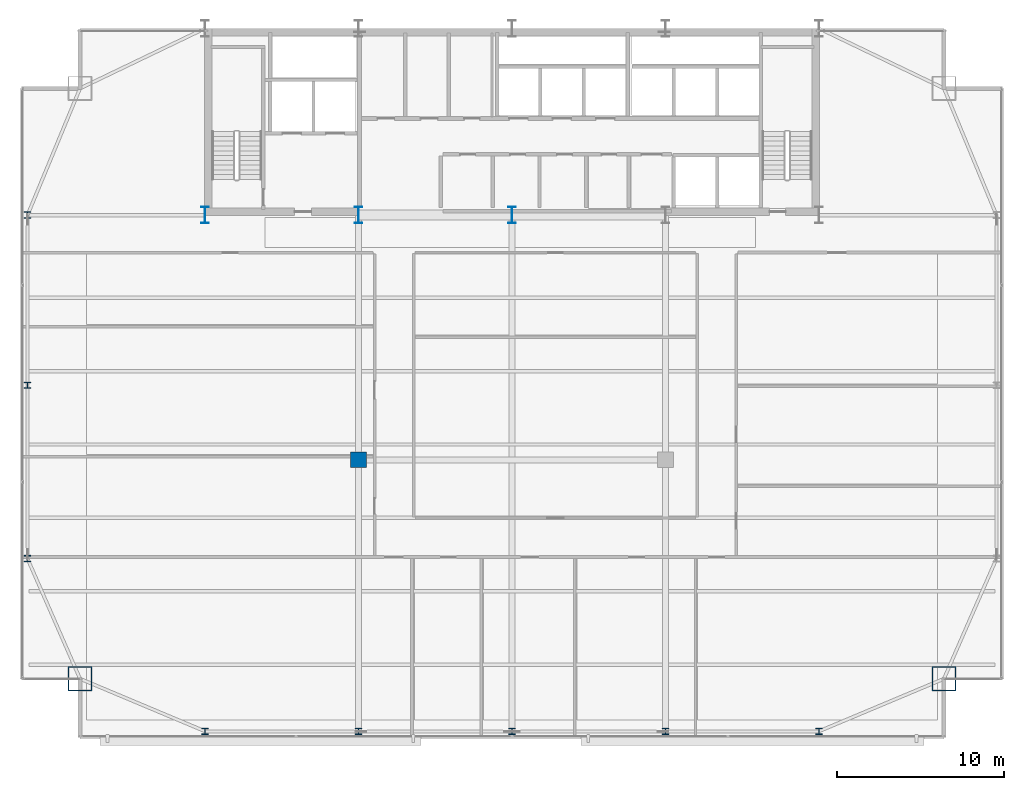
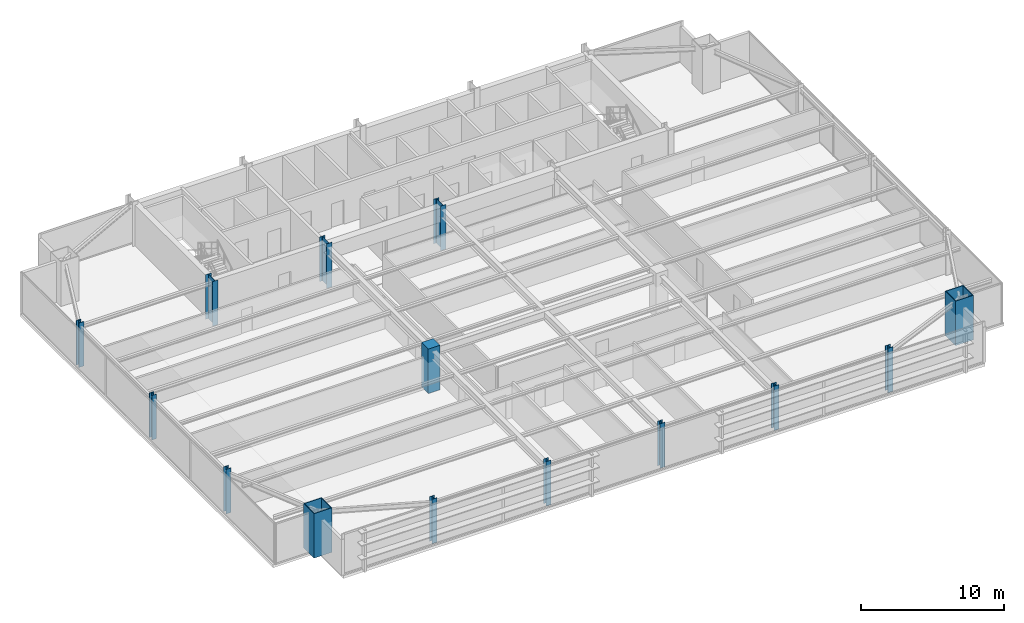
# One storey, part 1 of 33: 14 columns.
"""IFC4 building model written with IfcOpenShell, lengths in metres."""

from ifc_helpers import new_model, si_unit, direction, frame, origin, origin_2d, place, context, subcontext, project, spatial, rectangle, hollow_rectangle, i_section, extrude, source, transform, mapped, material, material_profile, profile_set, type_object, type_shapes, element, save


model = new_model("IFC4")

# Units and contexts
model_context = context("Model", 3, precision=1e-05, world=origin(), true_north=direction((0.0, 1.0)))
body_context = subcontext(model_context, "Body", "Model", "MODEL_VIEW")
ifc_project = project(units=[si_unit("LENGTHUNIT", "METRE"), si_unit("AREAUNIT", "SQUARE_METRE"), si_unit("VOLUMEUNIT", "CUBIC_METRE"), si_unit("PLANEANGLEUNIT", "RADIAN"), si_unit("MASSUNIT", "GRAM", prefix="KILO")], contexts=[model_context])

# Site, building, storey
site_placement = place(None, origin())
site = spatial("IfcSite", under=ifc_project, at=site_placement, CompositionType="ELEMENT")
building_placement = place(site_placement, origin())
building = spatial("IfcBuilding", under=site, at=building_placement, Name="Varnel Quay Broadcast Tower", CompositionType="ELEMENT")
storey_placement = place(building_placement, frame((0.0, 0.0, 137.199951171875)))
storey = spatial("IfcBuildingStorey", under=building, at=storey_placement, Name="L33", CompositionType="ELEMENT", Elevation=137.199951171875)

# Columns
ifc_material_1 = material(Name="Structural Steel CSA G40.21 350WT", Category="steel")
ifc_material_profile_1 = material_profile(ifc_material_1, i_section(OverallWidth=0.449951171875, OverallDepth=1.0, WebThickness=0.01611328125, FlangeThickness=0.030029296875, FilletRadius=0.01611328125, at=origin_2d()), Name="WWF1000X362")
ifc_profile_set_1 = profile_set([ifc_material_profile_1], Name="Structural Steel CSA G40.21 350WT")
column_type_1 = type_object("IfcColumnType", Name="Col_WWF1000X362", PredefinedType="COLUMN", material=ifc_profile_set_1)
shared_shape_1 = source(origin(), body_context, "Body", "SweptSolid", [
    extrude(i_section(OverallWidth=0.449951171875, OverallDepth=1.0, WebThickness=0.01611328125, FlangeThickness=0.030029296875, FilletRadius=0.01611328125, at=origin_2d()), origin(), (0.0, 0.0, 1.0), 3.800048828125),
])
type_shapes(column_type_1, [shared_shape_1])
for number, where, z_axis, x_axis, name in (
    (1, (15.60009765625, 35.60009765625, 0.0), (0.0, 0.0, 1.0), (1.0, 0.0, 0.0), "L33 Column CC-S1"),
    (2, (24.800048828125, 35.60009765625, 0.0), (0.0, 0.0, 1.0), (1.0, 0.0, 0.0), "L33 Column CC-S2"),
    (3, (34.0, 35.60009765625, 0.0), (0.0, 0.0, 1.0), (1.0, 0.0, 0.0), "L33 Column CC-S3"),
):
    element("IfcColumn", number, at=place(storey_placement, frame(where, z_axis=z_axis, x_axis=x_axis)), inside=storey, type_object=column_type_1, Name=name, PredefinedType="COLUMN", context=body_context, shape_type="MappedRepresentation", body=[
        mapped(shared_shape_1, transform((0.0, 0.0, 0.0), x_axis=(1.0, 0.0, 0.0), y_axis=(0.0, 1.0, 0.0), z_axis=(0.0, 0.0, 1.0), scale=1.0)),
    ])
ifc_material_profile_2 = material_profile(ifc_material_1, hollow_rectangle(XDim=1.449951171875, YDim=1.449951171875, WallThickness=0.054931640625, at=origin_2d()), Name="BOX1450X1450X55")
ifc_profile_set_2 = profile_set([ifc_material_profile_2], Name="Structural Steel CSA G40.21 350WT")
column_type_2 = type_object("IfcColumnType", Name="Col_BOX1450X1450X55", PredefinedType="COLUMN", material=ifc_profile_set_2)
shared_shape_2 = source(origin(), body_context, "Body", "SweptSolid", [
    extrude(hollow_rectangle(XDim=1.449951171875, YDim=1.449951171875, WallThickness=0.054931640625, at=origin_2d()), origin(), (0.0, 0.0, 1.0), 3.800048828125),
])
type_shapes(column_type_2, [shared_shape_2])
for number, where, z_axis, x_axis, name in (
    (4, (8.10009765625, 7.800048828125, 0.0), (0.0, 0.0, 1.0), (1.0, 0.0, 0.0), "L33 Column MC-SW"),
    (5, (59.89990234375, 7.800048828125, 0.0), (0.0, 0.0, 1.0), (1.0, 0.0, 0.0), "L33 Column MC-SE"),
):
    element("IfcColumn", number, at=place(storey_placement, frame(where, z_axis=z_axis, x_axis=x_axis)), inside=storey, type_object=column_type_2, Name=name, PredefinedType="COLUMN", context=body_context, shape_type="MappedRepresentation", body=[
        mapped(shared_shape_2, transform((0.0, 0.0, 0.0), x_axis=(1.0, 0.0, 0.0), y_axis=(0.0, 1.0, 0.0), z_axis=(0.0, 0.0, 1.0), scale=1.0)),
    ])
ifc_material_2 = material(Name="Structural Steel CSA G40.21 350W", Category="steel")
ifc_material_profile_3 = material_profile(ifc_material_2, i_section(OverallWidth=0.39794921875, OverallDepth=0.386962890625, WebThickness=0.02099609375, FlangeThickness=0.033203125, FilletRadius=0.01806640625, at=origin_2d()), Name="W360X262")
ifc_profile_set_3 = profile_set([ifc_material_profile_3], Name="Structural Steel CSA G40.21 350W")
column_type_3 = type_object("IfcColumnType", Name="Col_W360X262", PredefinedType="COLUMN", material=ifc_profile_set_3)
shared_shape_3 = source(origin(), body_context, "Body", "SweptSolid", [
    extrude(i_section(OverallWidth=0.39794921875, OverallDepth=0.386962890625, WebThickness=0.02099609375, FlangeThickness=0.033203125, FilletRadius=0.01806640625, at=origin_2d()), origin(), (0.0, 0.0, 1.0), 3.800048828125),
])
type_shapes(column_type_3, [shared_shape_3])
for number, where, z_axis, x_axis, name in (
    (6, (15.60009765625, 4.64990234375, 0.0), (0.0, 0.0, 1.0), (1.0, 0.0, 0.0), "L33 Column TC-S1"),
    (7, (24.800048828125, 4.64990234375, 0.0), (0.0, 0.0, 1.0), (1.0, 0.0, 0.0), "L33 Column TC-S2"),
    (8, (34.0, 4.64990234375, 0.0), (0.0, 0.0, 1.0), (1.0, 0.0, 0.0), "L33 Column TC-S3"),
    (9, (43.199951171875, 4.64990234375, 0.0), (0.0, 0.0, 1.0), (1.0, 0.0, 0.0), "L33 Column TC-S4"),
    (10, (52.39990234375, 4.64990234375, 0.0), (0.0, 0.0, 1.0), (1.0, 0.0, 0.0), "L33 Column TC-S5"),
    (11, (4.949951171875, 15.0, 0.0), (0.0, 0.0, 1.0), (1.0, 0.0, 0.0), "L33 Column TC-W1"),
    (12, (4.949951171875, 25.39990234375, 0.0), (0.0, 0.0, 1.0), (1.0, 0.0, 0.0), "L33 Column TC-W2"),
    (13, (4.949951171875, 35.60009765625, 0.0), (0.0, 0.0, 1.0), (1.0, 0.0, 0.0), "L33 Column TC-W3"),
):
    element("IfcColumn", number, at=place(storey_placement, frame(where, z_axis=z_axis, x_axis=x_axis)), inside=storey, type_object=column_type_3, Name=name, PredefinedType="COLUMN", context=body_context, shape_type="MappedRepresentation", body=[
        mapped(shared_shape_3, transform((0.0, 0.0, 0.0), x_axis=(1.0, 0.0, 0.0), y_axis=(0.0, 1.0, 0.0), z_axis=(0.0, 0.0, 1.0), scale=1.0)),
    ])
ifc_material_3 = material(Name="Concrete CSA A23.3 C50/60", Category="concrete")
ifc_material_profile_4 = material_profile(ifc_material_3, rectangle(XDim=0.949951171875, YDim=0.949951171875, at=origin_2d()), Name="RC950X950")
ifc_profile_set_4 = profile_set([ifc_material_profile_4], Name="Concrete CSA A23.3 C50/60")
column_type_4 = type_object("IfcColumnType", Name="Col_RC950X950", PredefinedType="COLUMN", material=ifc_profile_set_4)
shared_shape_4 = source(origin(), body_context, "Body", "SweptSolid", [
    extrude(rectangle(XDim=0.949951171875, YDim=0.949951171875, at=origin_2d()), origin(), (0.0, 0.0, 1.0), 3.800048828125),
])
type_shapes(column_type_4, [shared_shape_4])
column_placement = place(storey_placement, frame((24.800048828125, 20.929931640625, 0.0), z_axis=(0.0, 0.0, 1.0), x_axis=(1.0, 0.0, 0.0)))
element("IfcColumn", 14, at=column_placement, inside=storey, type_object=column_type_4, Name="L33 Column IC-01", PredefinedType="COLUMN", context=body_context, shape_type="MappedRepresentation", body=[
    mapped(shared_shape_4, transform((0.0, 0.0, 0.0), x_axis=(1.0, 0.0, 0.0), y_axis=(0.0, 1.0, 0.0), z_axis=(0.0, 0.0, 1.0), scale=1.0)),
])

save(model, "model.ifc")
